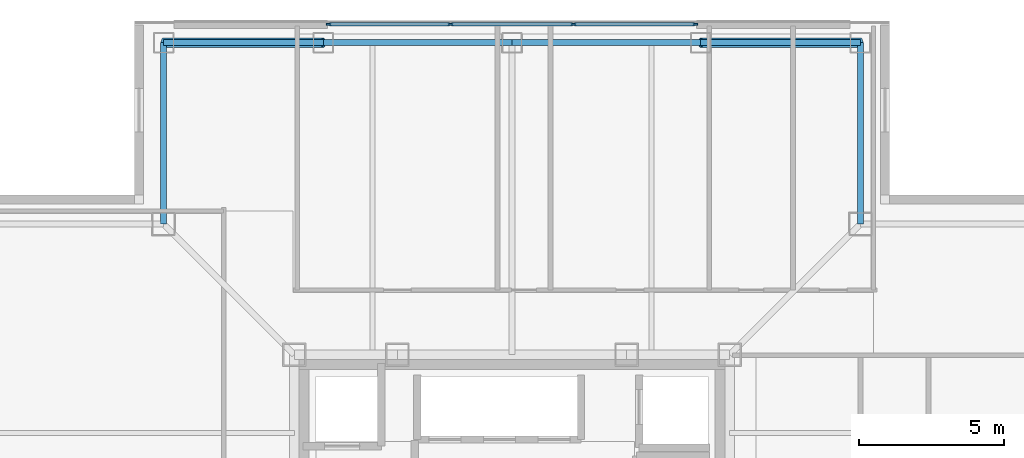
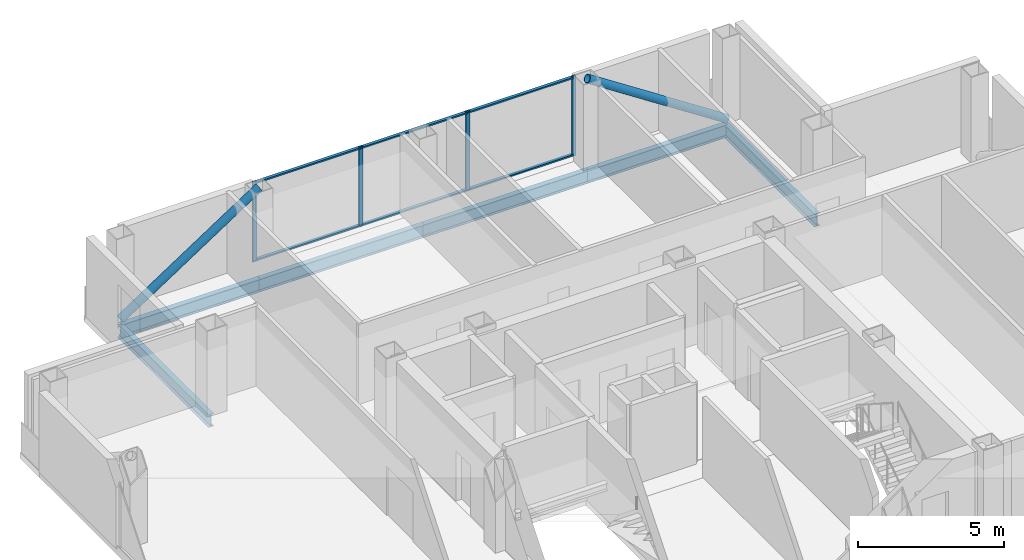
# One storey, part 7 of 16: 12 members, 6 beams, 1 element without a shape of its own.
"""IFC4 building model written with IfcOpenShell, lengths in metres."""

from ifc_helpers import new_model, si_unit, direction, frame, origin, origin_2d, place, context, subcontext, project, spatial, rectangle, hollow_circle, i_section, extrude, material, layer, layer_set, material_profile, profile_set, type_object, element, aggregate, save


model = new_model("IFC4")

# Units and contexts
model_context = context("Model", 3, precision=1e-05, world=origin(), true_north=direction((0.0, 1.0)))
body_context = subcontext(model_context, "Body", "Model", "MODEL_VIEW")
ifc_project = project(units=[si_unit("LENGTHUNIT", "METRE"), si_unit("AREAUNIT", "SQUARE_METRE"), si_unit("VOLUMEUNIT", "CUBIC_METRE"), si_unit("PLANEANGLEUNIT", "RADIAN"), si_unit("MASSUNIT", "GRAM", prefix="KILO")], contexts=[model_context])

# Site, building, storey
site_placement = place(None, origin())
site = spatial("IfcSite", under=ifc_project, at=site_placement, CompositionType="ELEMENT")
building_placement = place(site_placement, origin())
building = spatial("IfcBuilding", under=site, at=building_placement, Name="Trevonay Congress Spire", CompositionType="ELEMENT")
storey_placement = place(building_placement, frame((0.0, 0.0, 246.800048828125)))
storey = spatial("IfcBuildingStorey", under=building, at=storey_placement, Name="L64", CompositionType="ELEMENT", Elevation=246.800048828125)

# Beams
ifc_material_1 = material(Name="Steel ASTM A572 Grade 50", Category="steel")
ifc_material_profile_1 = material_profile(ifc_material_1, i_section(OverallWidth=0.208984375, OverallDepth=0.532958984375, WebThickness=0.01025390625, FlangeThickness=0.015625, FilletRadius=0.014892578125, at=origin_2d()), Name="W530x92")
ifc_profile_set_1 = profile_set([ifc_material_profile_1], Name="Steel ASTM A572 Grade 50")
beam_type = type_object("IfcBeamType", Name="BM-RING-W530X92", PredefinedType="BEAM", material=ifc_profile_set_1)
beam_1_placement = place(storey_placement, frame((-12.0, 18.25, -0.506591796875), z_axis=(1.0, 0.0, 0.0), x_axis=(0.0, 1.0, 0.0)))
element("IfcBeam", 1, at=beam_1_placement, inside=storey, type_object=beam_type, Name="L64 structural beam BM-L64-PN1", PredefinedType="BEAM", context=body_context, shape_type="SweptSolid", body=[
    extrude(i_section(OverallWidth=0.208984375, OverallDepth=0.532958984375, WebThickness=0.01025390625, FlangeThickness=0.015625, FilletRadius=0.014892578125, at=origin_2d()), origin(), (0.0, 0.0, 1.0), 5.5),
])
for number, where, z_axis, x_axis, name in (
    (2, (-6.5, 18.25, -0.506591796875), (1.0, 0.0, 0.0), (0.0, 1.0, 0.0), "L64 structural beam BM-L64-PN2"),
    (3, (0.0, 18.25, -0.506591796875), (1.0, 0.0, 0.0), (0.0, 1.0, 0.0), "L64 structural beam BM-L64-PN3"),
):
    element("IfcBeam", number, at=place(storey_placement, frame(where, z_axis=z_axis, x_axis=x_axis)), inside=storey, type_object=beam_type, Name=name, PredefinedType="BEAM", context=body_context, shape_type="SweptSolid", body=[
        extrude(i_section(OverallWidth=0.208984375, OverallDepth=0.532958984375, WebThickness=0.01025390625, FlangeThickness=0.015625, FilletRadius=0.014892578125, at=origin_2d()), origin(), (0.0, 0.0, 1.0), 6.5),
    ])
beam_2_placement = place(storey_placement, frame((6.5, 18.25, -0.506591796875), z_axis=(1.0, 0.0, 0.0), x_axis=(0.0, 1.0, 0.0)))
element("IfcBeam", 4, at=beam_2_placement, inside=storey, type_object=beam_type, Name="L64 structural beam BM-L64-PN4", PredefinedType="BEAM", context=body_context, shape_type="SweptSolid", body=[
    extrude(i_section(OverallWidth=0.208984375, OverallDepth=0.532958984375, WebThickness=0.01025390625, FlangeThickness=0.015625, FilletRadius=0.014892578125, at=origin_2d()), origin(), (0.0, 0.0, 1.0), 5.5),
])
for number, where, z_axis, x_axis, name in (
    (5, (12.0, 18.25, -0.506591796875), (0.0, -1.0, 0.0), (1.0, 0.0, 0.0), "L64 structural beam BM-L64-N1NE"),
    (6, (-12.0, 18.25, -0.506591796875), (0.0, -1.0, 0.0), (1.0, 0.0, 0.0), "L64 structural beam BM-L64-N1NW"),
):
    element("IfcBeam", number, at=place(storey_placement, frame(where, z_axis=z_axis, x_axis=x_axis)), inside=storey, type_object=beam_type, Name=name, PredefinedType="BEAM", context=body_context, shape_type="SweptSolid", body=[
        extrude(i_section(OverallWidth=0.208984375, OverallDepth=0.532958984375, WebThickness=0.01025390625, FlangeThickness=0.015625, FilletRadius=0.014892578125, at=origin_2d()), origin(), (0.0, 0.0, 1.0), 6.25),
    ])

# Curtain wall, members
ifc_material_2 = material(Name="Pale Anodised Aluminium EN AW-6063-T6", Category="aluminium")
ifc_layer = layer(ifc_material_2, 0.1650390625, Name="Pale Anodised Aluminium EN AW-6063-T6")
ifc_layer_set = layer_set([ifc_layer], Name="Pale Anodised Aluminium EN AW-6063-T6")
curtain_wall_type = type_object("IfcCurtainWallType", Name="CW-SYS05-DIPLOM-PALE-METAL", PredefinedType="NOTDEFINED", material=ifc_layer_set)
curtain_wall_placement = place(storey_placement, origin())
curtain_wall = element("IfcCurtainWall", 7, at=curtain_wall_placement, inside=storey, type_object=curtain_wall_type, Name="L64 N unitised curtain wall", PredefinedType="NOTDEFINED")
ifc_material_profile_2 = material_profile(ifc_material_2, rectangle(XDim=0.06005859375, YDim=0.159912109375, at=origin_2d()), Name="CW-MULLION-160-ALUMINIUM")
ifc_profile_set_2 = profile_set([ifc_material_profile_2], Name="Pale Anodised Aluminium EN AW-6063-T6")
member_type_1 = type_object("IfcMemberType", Name="CW-MULLION-160-ALUMINIUM", PredefinedType="MULLION", material=ifc_profile_set_2)
member_1_placement = place(storey_placement, frame((-6.320068359375, 18.8798828125, 0.0), z_axis=(0.0, 0.0, 1.0), x_axis=(0.0, 1.0, 0.0)))
member_1 = element("IfcMember", 8, at=member_1_placement, type_object=member_type_1, Name="CW05 mullion 1", PredefinedType="MULLION", context=body_context, shape_type="SweptSolid", body=[
    extrude(rectangle(XDim=0.06005859375, YDim=0.159912109375, at=origin_2d()), origin(), (0.0, 0.0, 1.0), 3.35986328125),
])
member_2_placement = place(storey_placement, frame((-2.11669921875, 18.8798828125, 0.0), z_axis=(0.0, 0.0, 1.0), x_axis=(0.0, 1.0, 0.0)))
member_2 = element("IfcMember", 9, at=member_2_placement, type_object=member_type_1, Name="CW05 mullion 2", PredefinedType="MULLION", context=body_context, shape_type="SweptSolid", body=[
    extrude(rectangle(XDim=0.06005859375, YDim=0.159912109375, at=origin_2d()), origin(), (0.0, 0.0, 1.0), 3.35986328125),
])
member_3_placement = place(storey_placement, frame((2.11669921875, 18.8798828125, 0.0), z_axis=(0.0, 0.0, 1.0), x_axis=(0.0, 1.0, 0.0)))
member_3 = element("IfcMember", 10, at=member_3_placement, type_object=member_type_1, Name="CW05 mullion 3", PredefinedType="MULLION", context=body_context, shape_type="SweptSolid", body=[
    extrude(rectangle(XDim=0.06005859375, YDim=0.159912109375, at=origin_2d()), origin(), (0.0, 0.0, 1.0), 3.35986328125),
])
member_4_placement = place(storey_placement, frame((6.320068359375, 18.8798828125, 0.0), z_axis=(0.0, 0.0, 1.0), x_axis=(0.0, 1.0, 0.0)))
member_4 = element("IfcMember", 11, at=member_4_placement, type_object=member_type_1, Name="CW05 mullion 4", PredefinedType="MULLION", context=body_context, shape_type="SweptSolid", body=[
    extrude(rectangle(XDim=0.06005859375, YDim=0.159912109375, at=origin_2d()), origin(), (0.0, 0.0, 1.0), 3.35986328125),
])
ifc_material_profile_3 = material_profile(ifc_material_2, rectangle(XDim=0.1201171875, YDim=0.06005859375, at=origin_2d()), Name="CW-TRANSOM-120-ALUMINIUM")
ifc_profile_set_3 = profile_set([ifc_material_profile_3], Name="Pale Anodised Aluminium EN AW-6063-T6")
member_type_2 = type_object("IfcMemberType", Name="CW-TRANSOM-120-ALUMINIUM", PredefinedType="USERDEFINED", material=ifc_profile_set_3)
member_5_placement = place(storey_placement, frame((-6.2900390625, 18.8798828125, 0.06005859375), z_axis=(1.0, 0.0, 0.0), x_axis=(0.0, 1.0, 0.0)))
member_5 = element("IfcMember", 12, at=member_5_placement, type_object=member_type_2, Name="CW05 transom 1.1", ObjectType="TRANSOM", PredefinedType="USERDEFINED", context=body_context, shape_type="SweptSolid", body=[
    extrude(rectangle(XDim=0.1201171875, YDim=0.06005859375, at=origin_2d()), origin(), (0.0, 0.0, 1.0), 4.143310546875),
])
member_6_placement = place(storey_placement, frame((-6.2900390625, 18.8798828125, 3.300048828125), z_axis=(1.0, 0.0, 0.0), x_axis=(0.0, 1.0, 0.0)))
member_6 = element("IfcMember", 13, at=member_6_placement, type_object=member_type_2, Name="CW05 transom 1.2", ObjectType="TRANSOM", PredefinedType="USERDEFINED", context=body_context, shape_type="SweptSolid", body=[
    extrude(rectangle(XDim=0.1201171875, YDim=0.06005859375, at=origin_2d()), origin(), (0.0, 0.0, 1.0), 4.143310546875),
])
member_7_placement = place(storey_placement, frame((-2.086669921875, 18.8798828125, 0.06005859375), z_axis=(1.0, 0.0, 0.0), x_axis=(0.0, 1.0, 0.0)))
member_7 = element("IfcMember", 14, at=member_7_placement, type_object=member_type_2, Name="CW05 transom 2.1", ObjectType="TRANSOM", PredefinedType="USERDEFINED", context=body_context, shape_type="SweptSolid", body=[
    extrude(rectangle(XDim=0.1201171875, YDim=0.06005859375, at=origin_2d()), origin(), (0.0, 0.0, 1.0), 4.17333984375),
])
member_8_placement = place(storey_placement, frame((-2.086669921875, 18.8798828125, 3.300048828125), z_axis=(1.0, 0.0, 0.0), x_axis=(0.0, 1.0, 0.0)))
member_8 = element("IfcMember", 15, at=member_8_placement, type_object=member_type_2, Name="CW05 transom 2.2", ObjectType="TRANSOM", PredefinedType="USERDEFINED", context=body_context, shape_type="SweptSolid", body=[
    extrude(rectangle(XDim=0.1201171875, YDim=0.06005859375, at=origin_2d()), origin(), (0.0, 0.0, 1.0), 4.17333984375),
])
member_9_placement = place(storey_placement, frame((2.146728515625, 18.8798828125, 0.06005859375), z_axis=(1.0, 0.0, 0.0), x_axis=(0.0, 1.0, 0.0)))
member_9 = element("IfcMember", 16, at=member_9_placement, type_object=member_type_2, Name="CW05 transom 3.1", ObjectType="TRANSOM", PredefinedType="USERDEFINED", context=body_context, shape_type="SweptSolid", body=[
    extrude(rectangle(XDim=0.1201171875, YDim=0.06005859375, at=origin_2d()), origin(), (0.0, 0.0, 1.0), 4.143310546875),
])
member_10_placement = place(storey_placement, frame((2.146728515625, 18.8798828125, 3.300048828125), z_axis=(1.0, 0.0, 0.0), x_axis=(0.0, 1.0, 0.0)))
member_10 = element("IfcMember", 17, at=member_10_placement, type_object=member_type_2, Name="CW05 transom 3.2", ObjectType="TRANSOM", PredefinedType="USERDEFINED", context=body_context, shape_type="SweptSolid", body=[
    extrude(rectangle(XDim=0.1201171875, YDim=0.06005859375, at=origin_2d()), origin(), (0.0, 0.0, 1.0), 4.143310546875),
])
aggregate(curtain_wall, [member_1, member_2, member_3, member_4, member_5, member_6, member_7, member_8, member_9, member_10])

# Members
ifc_material_3 = material(Name="Steel ASTM A500 Grade C", Category="steel")
ifc_material_profile_4 = material_profile(ifc_material_3, hollow_circle(Radius=0.161865234375, WallThickness=0.01611328125, at=origin_2d()), Name="CHS 323.9x16")
ifc_profile_set_4 = profile_set([ifc_material_profile_4], Name="Steel ASTM A500 Grade C")
member_type_3 = type_object("IfcMemberType", Name="MBR-TUBE-CHS324", PredefinedType="BRACE", material=ifc_profile_set_4)
for number, where, z_axis, x_axis, name in (
    (18, (-12.0, 18.25, -0.050048828125), (0.836694709366, 0.0, 0.547669574943), (0.0, 1.0, 0.0), "L64 perimeter braced-tube diagonal N0"),
    (19, (12.0, 18.25, -0.050048828125), (-0.836694709366, 0.0, 0.547669574943), (0.0, -1.0, 0.0), "L64 perimeter braced-tube diagonal N3"),
):
    element("IfcMember", number, at=place(storey_placement, frame(where, z_axis=z_axis, x_axis=x_axis)), inside=storey, type_object=member_type_3, Name=name, PredefinedType="BRACE", context=body_context, shape_type="SweptSolid", body=[
        extrude(hollow_circle(Radius=0.161865234375, WallThickness=0.01611328125, at=origin_2d()), origin(), (0.0, 0.0, 1.0), 6.573486328125),
    ])

save(model, "model.ifc")
